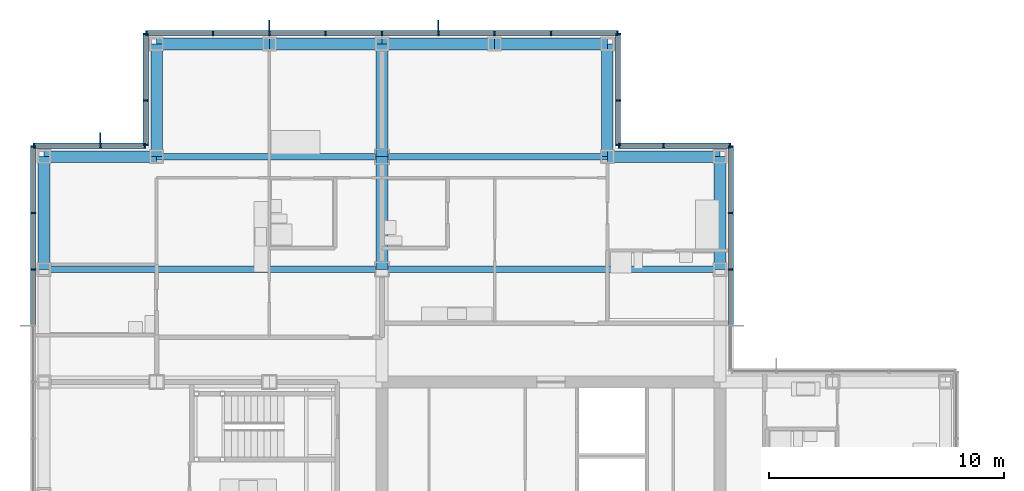
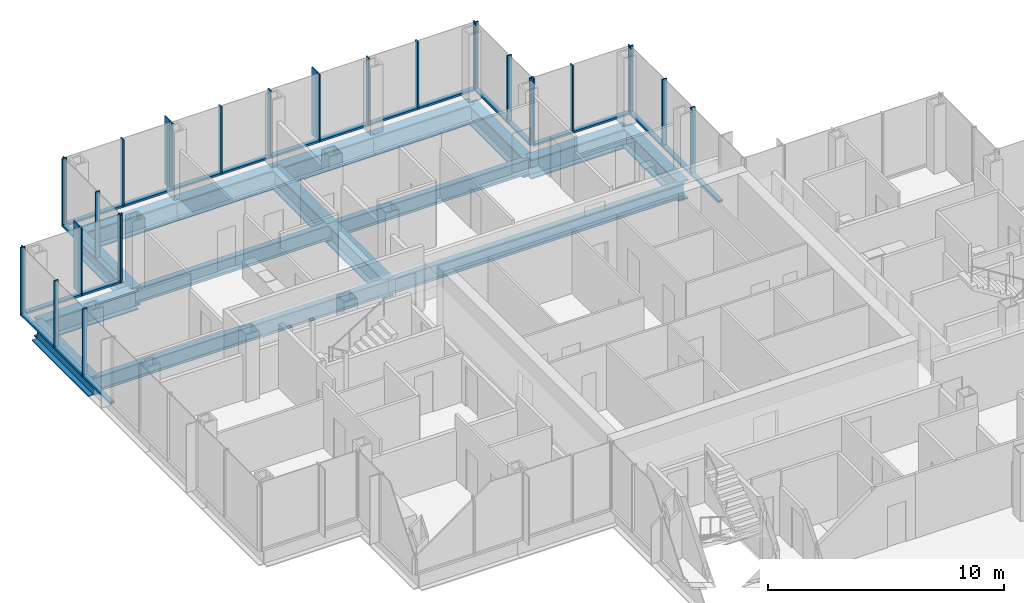
# One storey, part 10 of 19: 52 members, 16 beams, 7 elements without a shape of their own.
"""IFC4 building model written with IfcOpenShell, lengths in metres."""

from ifc_helpers import new_model, si_unit, direction, frame, origin, origin_2d, place, context, subcontext, project, spatial, rectangle, i_section, extrude, material, material_profile, profile_set, type_object, element, aggregate, save


model = new_model("IFC4")

# Units and contexts
model_context = context("Model", 3, precision=1e-05, world=origin(), true_north=direction((0.0, 1.0)))
body_context = subcontext(model_context, "Body", "Model", "MODEL_VIEW")
ifc_project = project(units=[si_unit("LENGTHUNIT", "METRE"), si_unit("AREAUNIT", "SQUARE_METRE"), si_unit("VOLUMEUNIT", "CUBIC_METRE"), si_unit("PLANEANGLEUNIT", "RADIAN"), si_unit("MASSUNIT", "GRAM", prefix="KILO")], contexts=[model_context])

# Site, building, storey
site_placement = place(None, origin())
site = spatial("IfcSite", under=ifc_project, at=site_placement, CompositionType="ELEMENT")
building_placement = place(site_placement, origin())
building = spatial("IfcBuilding", under=site, at=building_placement, Name="Kvirike Care Tower", CompositionType="ELEMENT")
storey_placement = place(building_placement, frame((0.0, 0.0, 129.5)))
storey = spatial("IfcBuildingStorey", under=building, at=storey_placement, Name="L35", CompositionType="ELEMENT", Elevation=129.5)

# Curtain wall, members
ifc_material_1 = material(Name="Anodised aluminium stick system", Category="aluminium")
curtain_wall_type = type_object("IfcCurtainWallType", Name="CW-B STICK CURTAIN WALL", PredefinedType="NOTDEFINED", material=ifc_material_1)
curtain_wall_1_placement = place(storey_placement, origin())
curtain_wall_1 = element("IfcCurtainWall", 1, at=curtain_wall_1_placement, inside=storey, type_object=curtain_wall_type, Name="Curtain wall L35 face 8", PredefinedType="NOTDEFINED")
ifc_material_2 = material(Name="Bronze anodised aluminium fin", Category="aluminium")
ifc_material_profile_1 = material_profile(ifc_material_2, rectangle(XDim=0.050048828125, YDim=0.449951171875, at=origin_2d()), Name="BRONZE FIN 450")
ifc_profile_set_1 = profile_set([ifc_material_profile_1], Name="Bronze anodised aluminium fin")
member_type_1 = type_object("IfcMemberType", Name="BRONZE FIN 450", PredefinedType="USERDEFINED", material=ifc_profile_set_1)
member_1_placement = place(storey_placement, frame((16.800048828125, 58.39501953125, 0.0), z_axis=(0.0, 0.0, 1.0), x_axis=(-1.0, 0.0, 0.0)))
member_1 = element("IfcMember", 2, at=member_1_placement, type_object=member_type_1, Name="Bronze fin L35 face 8.4", ObjectType="FIN", PredefinedType="USERDEFINED", context=body_context, shape_type="SweptSolid", body=[
    extrude(rectangle(XDim=0.050048828125, YDim=0.449951171875, at=origin_2d()), origin(), (0.0, 0.0, 1.0), 3.5),
])
member_2_placement = place(storey_placement, frame((9.60009765625, 58.39501953125, 0.0), z_axis=(0.0, 0.0, 1.0), x_axis=(-1.0, 0.0, 0.0)))
member_2 = element("IfcMember", 3, at=member_2_placement, type_object=member_type_1, Name="Bronze fin L35 face 8.7", ObjectType="FIN", PredefinedType="USERDEFINED", context=body_context, shape_type="SweptSolid", body=[
    extrude(rectangle(XDim=0.050048828125, YDim=0.449951171875, at=origin_2d()), origin(), (0.0, 0.0, 1.0), 3.5),
])

# Curtain wall, member
curtain_wall_2_placement = place(storey_placement, origin())
curtain_wall_2 = element("IfcCurtainWall", 4, at=curtain_wall_2_placement, inside=storey, type_object=curtain_wall_type, Name="Curtain wall L35 face 10", PredefinedType="NOTDEFINED")
member_3_placement = place(storey_placement, frame((2.39990234375, 53.594970703125, 0.0), z_axis=(0.0, 0.0, 1.0), x_axis=(-1.0, 0.0, 0.0)))
member_3 = element("IfcMember", 5, at=member_3_placement, type_object=member_type_1, Name="Bronze fin L35 face 10.2", ObjectType="FIN", PredefinedType="USERDEFINED", context=body_context, shape_type="SweptSolid", body=[
    extrude(rectangle(XDim=0.050048828125, YDim=0.449951171875, at=origin_2d()), origin(), (0.0, 0.0, 1.0), 3.5),
])

# Curtain wall, members
curtain_wall_3_placement = place(storey_placement, origin())
curtain_wall_3 = element("IfcCurtainWall", 6, at=curtain_wall_3_placement, inside=storey, type_object=curtain_wall_type, Name="Curtain wall L35 face 5", PredefinedType="NOTDEFINED")
ifc_material_3 = material(Name="Bronze anodised aluminium mullion", Category="aluminium")
ifc_material_profile_2 = material_profile(ifc_material_3, rectangle(XDim=0.06494140625, YDim=0.219970703125, at=origin_2d()), Name="CW-B MULLION 65x220")
ifc_profile_set_2 = profile_set([ifc_material_profile_2], Name="Bronze anodised aluminium mullion")
member_type_2 = type_object("IfcMemberType", Name="CW-B MULLION 65x220", PredefinedType="MULLION", material=ifc_profile_set_2)
member_4_placement = place(storey_placement, frame((29.260009765625, 48.0, 0.0), z_axis=(0.0, 0.0, 1.0), x_axis=(0.0, 1.0, 0.0)))
member_4 = element("IfcMember", 7, at=member_4_placement, type_object=member_type_2, Name="CW-B mullion L35 face 5.3", PredefinedType="MULLION", context=body_context, shape_type="SweptSolid", body=[
    extrude(rectangle(XDim=0.06494140625, YDim=0.219970703125, at=origin_2d()), origin(), (0.0, 0.0, 1.0), 3.5),
])
member_5_placement = place(storey_placement, frame((29.260009765625, 50.39990234375, 0.0), z_axis=(0.0, 0.0, 1.0), x_axis=(0.0, 1.0, 0.0)))
member_5 = element("IfcMember", 8, at=member_5_placement, type_object=member_type_2, Name="CW-B mullion L35 face 5.4", PredefinedType="MULLION", context=body_context, shape_type="SweptSolid", body=[
    extrude(rectangle(XDim=0.06494140625, YDim=0.219970703125, at=origin_2d()), origin(), (0.0, 0.0, 1.0), 3.5),
])
member_6_placement = place(storey_placement, frame((29.260009765625, 53.2275390625, 0.0), z_axis=(0.0, 0.0, 1.0), x_axis=(0.0, 1.0, 0.0)))
member_6 = element("IfcMember", 9, at=member_6_placement, type_object=member_type_2, Name="CW-B mullion L35 face 5.5", PredefinedType="MULLION", context=body_context, shape_type="SweptSolid", body=[
    extrude(rectangle(XDim=0.06494140625, YDim=0.219970703125, at=origin_2d()), origin(), (0.0, 0.0, 1.0), 3.5),
])

curtain_wall_4_placement = place(storey_placement, origin())
curtain_wall_4 = element("IfcCurtainWall", 10, at=curtain_wall_4_placement, inside=storey, type_object=curtain_wall_type, Name="Curtain wall L35 face 6", PredefinedType="NOTDEFINED")
member_7_placement = place(storey_placement, frame((29.2275390625, 53.260009765625, 0.0), z_axis=(0.0, 0.0, 1.0), x_axis=(-1.0, 0.0, 0.0)))
member_7 = element("IfcMember", 11, at=member_7_placement, type_object=member_type_2, Name="CW-B mullion L35 face 6.1", PredefinedType="MULLION", context=body_context, shape_type="SweptSolid", body=[
    extrude(rectangle(XDim=0.06494140625, YDim=0.219970703125, at=origin_2d()), origin(), (0.0, 0.0, 1.0), 3.5),
])
member_8_placement = place(storey_placement, frame((26.39990234375, 53.260009765625, 0.0), z_axis=(0.0, 0.0, 1.0), x_axis=(-1.0, 0.0, 0.0)))
member_8 = element("IfcMember", 12, at=member_8_placement, type_object=member_type_2, Name="CW-B mullion L35 face 6.2", PredefinedType="MULLION", context=body_context, shape_type="SweptSolid", body=[
    extrude(rectangle(XDim=0.06494140625, YDim=0.219970703125, at=origin_2d()), origin(), (0.0, 0.0, 1.0), 3.5),
])
member_9_placement = place(storey_placement, frame((24.492431640625, 53.260009765625, 0.0), z_axis=(0.0, 0.0, 1.0), x_axis=(-1.0, 0.0, 0.0)))
member_9 = element("IfcMember", 13, at=member_9_placement, type_object=member_type_2, Name="CW-B mullion L35 face 6.3", PredefinedType="MULLION", context=body_context, shape_type="SweptSolid", body=[
    extrude(rectangle(XDim=0.06494140625, YDim=0.219970703125, at=origin_2d()), origin(), (0.0, 0.0, 1.0), 3.5),
])

curtain_wall_5_placement = place(storey_placement, origin())
curtain_wall_5 = element("IfcCurtainWall", 14, at=curtain_wall_5_placement, inside=storey, type_object=curtain_wall_type, Name="Curtain wall L35 face 7", PredefinedType="NOTDEFINED")
member_10_placement = place(storey_placement, frame((24.4599609375, 53.29248046875, 0.0), z_axis=(0.0, 0.0, 1.0), x_axis=(0.0, 1.0, 0.0)))
member_10 = element("IfcMember", 15, at=member_10_placement, type_object=member_type_2, Name="CW-B mullion L35 face 7.1", PredefinedType="MULLION", context=body_context, shape_type="SweptSolid", body=[
    extrude(rectangle(XDim=0.06494140625, YDim=0.219970703125, at=origin_2d()), origin(), (0.0, 0.0, 1.0), 3.5),
])
member_11_placement = place(storey_placement, frame((24.4599609375, 55.199951171875, 0.0), z_axis=(0.0, 0.0, 1.0), x_axis=(0.0, 1.0, 0.0)))
member_11 = element("IfcMember", 16, at=member_11_placement, type_object=member_type_2, Name="CW-B mullion L35 face 7.2", PredefinedType="MULLION", context=body_context, shape_type="SweptSolid", body=[
    extrude(rectangle(XDim=0.06494140625, YDim=0.219970703125, at=origin_2d()), origin(), (0.0, 0.0, 1.0), 3.5),
])
member_12_placement = place(storey_placement, frame((24.4599609375, 58.027587890625, 0.0), z_axis=(0.0, 0.0, 1.0), x_axis=(0.0, 1.0, 0.0)))
member_12 = element("IfcMember", 17, at=member_12_placement, type_object=member_type_2, Name="CW-B mullion L35 face 7.3", PredefinedType="MULLION", context=body_context, shape_type="SweptSolid", body=[
    extrude(rectangle(XDim=0.06494140625, YDim=0.219970703125, at=origin_2d()), origin(), (0.0, 0.0, 1.0), 3.5),
])

# Member
member_13_placement = place(storey_placement, frame((24.427490234375, 58.06005859375, 0.0), z_axis=(0.0, 0.0, 1.0), x_axis=(-1.0, 0.0, 0.0)))
member_13 = element("IfcMember", 18, at=member_13_placement, type_object=member_type_2, Name="CW-B mullion L35 face 8.1", PredefinedType="MULLION", context=body_context, shape_type="SweptSolid", body=[
    extrude(rectangle(XDim=0.06494140625, YDim=0.219970703125, at=origin_2d()), origin(), (0.0, 0.0, 1.0), 3.5),
])

member_14_placement = place(storey_placement, frame((21.60009765625, 58.06005859375, 0.0), z_axis=(0.0, 0.0, 1.0), x_axis=(-1.0, 0.0, 0.0)))
member_14 = element("IfcMember", 19, at=member_14_placement, type_object=member_type_2, Name="CW-B mullion L35 face 8.2", PredefinedType="MULLION", context=body_context, shape_type="SweptSolid", body=[
    extrude(rectangle(XDim=0.06494140625, YDim=0.219970703125, at=origin_2d()), origin(), (0.0, 0.0, 1.0), 3.5),
])

member_15_placement = place(storey_placement, frame((19.199951171875, 58.06005859375, 0.0), z_axis=(0.0, 0.0, 1.0), x_axis=(-1.0, 0.0, 0.0)))
member_15 = element("IfcMember", 20, at=member_15_placement, type_object=member_type_2, Name="CW-B mullion L35 face 8.3", PredefinedType="MULLION", context=body_context, shape_type="SweptSolid", body=[
    extrude(rectangle(XDim=0.06494140625, YDim=0.219970703125, at=origin_2d()), origin(), (0.0, 0.0, 1.0), 3.5),
])

member_16_placement = place(storey_placement, frame((16.800048828125, 58.06005859375, 0.0), z_axis=(0.0, 0.0, 1.0), x_axis=(-1.0, 0.0, 0.0)))
member_16 = element("IfcMember", 21, at=member_16_placement, type_object=member_type_2, Name="CW-B mullion L35 face 8.4", PredefinedType="MULLION", context=body_context, shape_type="SweptSolid", body=[
    extrude(rectangle(XDim=0.06494140625, YDim=0.219970703125, at=origin_2d()), origin(), (0.0, 0.0, 1.0), 3.5),
])

member_17_placement = place(storey_placement, frame((14.39990234375, 58.06005859375, 0.0), z_axis=(0.0, 0.0, 1.0), x_axis=(-1.0, 0.0, 0.0)))
member_17 = element("IfcMember", 22, at=member_17_placement, type_object=member_type_2, Name="CW-B mullion L35 face 8.5", PredefinedType="MULLION", context=body_context, shape_type="SweptSolid", body=[
    extrude(rectangle(XDim=0.06494140625, YDim=0.219970703125, at=origin_2d()), origin(), (0.0, 0.0, 1.0), 3.5),
])

member_18_placement = place(storey_placement, frame((12.0, 58.06005859375, 0.0), z_axis=(0.0, 0.0, 1.0), x_axis=(-1.0, 0.0, 0.0)))
member_18 = element("IfcMember", 23, at=member_18_placement, type_object=member_type_2, Name="CW-B mullion L35 face 8.6", PredefinedType="MULLION", context=body_context, shape_type="SweptSolid", body=[
    extrude(rectangle(XDim=0.06494140625, YDim=0.219970703125, at=origin_2d()), origin(), (0.0, 0.0, 1.0), 3.5),
])

member_19_placement = place(storey_placement, frame((9.60009765625, 58.06005859375, 0.0), z_axis=(0.0, 0.0, 1.0), x_axis=(-1.0, 0.0, 0.0)))
member_19 = element("IfcMember", 24, at=member_19_placement, type_object=member_type_2, Name="CW-B mullion L35 face 8.7", PredefinedType="MULLION", context=body_context, shape_type="SweptSolid", body=[
    extrude(rectangle(XDim=0.06494140625, YDim=0.219970703125, at=origin_2d()), origin(), (0.0, 0.0, 1.0), 3.5),
])

member_20_placement = place(storey_placement, frame((7.199951171875, 58.06005859375, 0.0), z_axis=(0.0, 0.0, 1.0), x_axis=(-1.0, 0.0, 0.0)))
member_20 = element("IfcMember", 25, at=member_20_placement, type_object=member_type_2, Name="CW-B mullion L35 face 8.8", PredefinedType="MULLION", context=body_context, shape_type="SweptSolid", body=[
    extrude(rectangle(XDim=0.06494140625, YDim=0.219970703125, at=origin_2d()), origin(), (0.0, 0.0, 1.0), 3.5),
])

member_21_placement = place(storey_placement, frame((4.37255859375, 58.06005859375, 0.0), z_axis=(0.0, 0.0, 1.0), x_axis=(-1.0, 0.0, 0.0)))
member_21 = element("IfcMember", 26, at=member_21_placement, type_object=member_type_2, Name="CW-B mullion L35 face 8.9", PredefinedType="MULLION", context=body_context, shape_type="SweptSolid", body=[
    extrude(rectangle(XDim=0.06494140625, YDim=0.219970703125, at=origin_2d()), origin(), (0.0, 0.0, 1.0), 3.5),
])

# Curtain wall, members
curtain_wall_6_placement = place(storey_placement, origin())
curtain_wall_6 = element("IfcCurtainWall", 27, at=curtain_wall_6_placement, inside=storey, type_object=curtain_wall_type, Name="Curtain wall L35 face 9", PredefinedType="NOTDEFINED")
member_22_placement = place(storey_placement, frame((4.340087890625, 58.027587890625, 0.0), z_axis=(0.0, 0.0, 1.0), x_axis=(0.0, -1.0, 0.0)))
member_22 = element("IfcMember", 28, at=member_22_placement, type_object=member_type_2, Name="CW-B mullion L35 face 9.1", PredefinedType="MULLION", context=body_context, shape_type="SweptSolid", body=[
    extrude(rectangle(XDim=0.06494140625, YDim=0.219970703125, at=origin_2d()), origin(), (0.0, 0.0, 1.0), 3.5),
])
member_23_placement = place(storey_placement, frame((4.340087890625, 55.199951171875, 0.0), z_axis=(0.0, 0.0, 1.0), x_axis=(0.0, -1.0, 0.0)))
member_23 = element("IfcMember", 29, at=member_23_placement, type_object=member_type_2, Name="CW-B mullion L35 face 9.2", PredefinedType="MULLION", context=body_context, shape_type="SweptSolid", body=[
    extrude(rectangle(XDim=0.06494140625, YDim=0.219970703125, at=origin_2d()), origin(), (0.0, 0.0, 1.0), 3.5),
])
member_24_placement = place(storey_placement, frame((4.340087890625, 53.29248046875, 0.0), z_axis=(0.0, 0.0, 1.0), x_axis=(0.0, -1.0, 0.0)))
member_24 = element("IfcMember", 30, at=member_24_placement, type_object=member_type_2, Name="CW-B mullion L35 face 9.3", PredefinedType="MULLION", context=body_context, shape_type="SweptSolid", body=[
    extrude(rectangle(XDim=0.06494140625, YDim=0.219970703125, at=origin_2d()), origin(), (0.0, 0.0, 1.0), 3.5),
])

# Member
member_25_placement = place(storey_placement, frame((4.3076171875, 53.260009765625, 0.0), z_axis=(0.0, 0.0, 1.0), x_axis=(-1.0, 0.0, 0.0)))
member_25 = element("IfcMember", 31, at=member_25_placement, type_object=member_type_2, Name="CW-B mullion L35 face 10.1", PredefinedType="MULLION", context=body_context, shape_type="SweptSolid", body=[
    extrude(rectangle(XDim=0.06494140625, YDim=0.219970703125, at=origin_2d()), origin(), (0.0, 0.0, 1.0), 3.5),
])

member_26_placement = place(storey_placement, frame((2.39990234375, 53.260009765625, 0.0), z_axis=(0.0, 0.0, 1.0), x_axis=(-1.0, 0.0, 0.0)))
member_26 = element("IfcMember", 32, at=member_26_placement, type_object=member_type_2, Name="CW-B mullion L35 face 10.2", PredefinedType="MULLION", context=body_context, shape_type="SweptSolid", body=[
    extrude(rectangle(XDim=0.06494140625, YDim=0.219970703125, at=origin_2d()), origin(), (0.0, 0.0, 1.0), 3.5),
])

member_27_placement = place(storey_placement, frame((-0.427490234375, 53.260009765625, 0.0), z_axis=(0.0, 0.0, 1.0), x_axis=(-1.0, 0.0, 0.0)))
member_27 = element("IfcMember", 33, at=member_27_placement, type_object=member_type_2, Name="CW-B mullion L35 face 10.3", PredefinedType="MULLION", context=body_context, shape_type="SweptSolid", body=[
    extrude(rectangle(XDim=0.06494140625, YDim=0.219970703125, at=origin_2d()), origin(), (0.0, 0.0, 1.0), 3.5),
])

# Curtain wall, members
curtain_wall_7_placement = place(storey_placement, origin())
curtain_wall_7 = element("IfcCurtainWall", 34, at=curtain_wall_7_placement, inside=storey, type_object=curtain_wall_type, Name="Curtain wall L35 face 11", PredefinedType="NOTDEFINED")
member_28_placement = place(storey_placement, frame((-0.4599609375, 53.2275390625, 0.0), z_axis=(0.0, 0.0, 1.0), x_axis=(0.0, -1.0, 0.0)))
member_28 = element("IfcMember", 35, at=member_28_placement, type_object=member_type_2, Name="CW-B mullion L35 face 11.1", PredefinedType="MULLION", context=body_context, shape_type="SweptSolid", body=[
    extrude(rectangle(XDim=0.06494140625, YDim=0.219970703125, at=origin_2d()), origin(), (0.0, 0.0, 1.0), 3.5),
])
member_29_placement = place(storey_placement, frame((-0.4599609375, 50.39990234375, 0.0), z_axis=(0.0, 0.0, 1.0), x_axis=(0.0, -1.0, 0.0)))
member_29 = element("IfcMember", 36, at=member_29_placement, type_object=member_type_2, Name="CW-B mullion L35 face 11.2", PredefinedType="MULLION", context=body_context, shape_type="SweptSolid", body=[
    extrude(rectangle(XDim=0.06494140625, YDim=0.219970703125, at=origin_2d()), origin(), (0.0, 0.0, 1.0), 3.5),
])
member_30_placement = place(storey_placement, frame((-0.4599609375, 48.0, 0.0), z_axis=(0.0, 0.0, 1.0), x_axis=(0.0, -1.0, 0.0)))
member_30 = element("IfcMember", 37, at=member_30_placement, type_object=member_type_2, Name="CW-B mullion L35 face 11.3", PredefinedType="MULLION", context=body_context, shape_type="SweptSolid", body=[
    extrude(rectangle(XDim=0.06494140625, YDim=0.219970703125, at=origin_2d()), origin(), (0.0, 0.0, 1.0), 3.5),
])

# Member
ifc_material_4 = material(Name="Bronze anodised aluminium transom", Category="aluminium")
ifc_material_profile_3 = material_profile(ifc_material_4, rectangle(XDim=0.219970703125, YDim=0.10009765625, at=origin_2d()), Name="CW-B TRANSOM 220x100")
ifc_profile_set_3 = profile_set([ifc_material_profile_3], Name="Bronze anodised aluminium transom")
member_type_3 = type_object("IfcMemberType", Name="CW-B TRANSOM 220x100", PredefinedType="USERDEFINED", material=ifc_profile_set_3)
member_31_placement = place(storey_placement, frame((29.260009765625, 45.632568359375, 0.050048828125), z_axis=(0.0, 1.0, 0.0), x_axis=(-1.0, 0.0, 0.0)))
member_31 = element("IfcMember", 38, at=member_31_placement, type_object=member_type_3, Name="CW-B sill transom L35 face 5.2", ObjectType="TRANSOM", PredefinedType="USERDEFINED", context=body_context, shape_type="SweptSolid", body=[
    extrude(rectangle(XDim=0.219970703125, YDim=0.10009765625, at=origin_2d()), origin(), (0.0, 0.0, 1.0), 2.3349609375),
])

member_32_placement = place(storey_placement, frame((29.260009765625, 48.032470703125, 0.050048828125), z_axis=(0.0, 1.0, 0.0), x_axis=(-1.0, 0.0, 0.0)))
member_32 = element("IfcMember", 39, at=member_32_placement, type_object=member_type_3, Name="CW-B sill transom L35 face 5.3", ObjectType="TRANSOM", PredefinedType="USERDEFINED", context=body_context, shape_type="SweptSolid", body=[
    extrude(rectangle(XDim=0.219970703125, YDim=0.10009765625, at=origin_2d()), origin(), (0.0, 0.0, 1.0), 2.3349609375),
])

member_33_placement = place(storey_placement, frame((29.260009765625, 50.4326171875, 0.050048828125), z_axis=(0.0, 1.0, 0.0), x_axis=(-1.0, 0.0, 0.0)))
member_33 = element("IfcMember", 40, at=member_33_placement, type_object=member_type_3, Name="CW-B sill transom L35 face 5.4", ObjectType="TRANSOM", PredefinedType="USERDEFINED", context=body_context, shape_type="SweptSolid", body=[
    extrude(rectangle(XDim=0.219970703125, YDim=0.10009765625, at=origin_2d()), origin(), (0.0, 0.0, 1.0), 2.762451171875),
])

aggregate(curtain_wall_3, [member_4, member_5, member_6, member_31, member_32, member_33])

member_34_placement = place(storey_placement, frame((29.195068359375, 53.260009765625, 0.050048828125), z_axis=(-1.0, 0.0, 0.0), x_axis=(0.0, -1.0, 0.0)))
member_34 = element("IfcMember", 41, at=member_34_placement, type_object=member_type_3, Name="CW-B sill transom L35 face 6.1", ObjectType="TRANSOM", PredefinedType="USERDEFINED", context=body_context, shape_type="SweptSolid", body=[
    extrude(rectangle(XDim=0.219970703125, YDim=0.10009765625, at=origin_2d()), origin(), (0.0, 0.0, 1.0), 2.762451171875),
])

member_35_placement = place(storey_placement, frame((26.367431640625, 53.260009765625, 0.050048828125), z_axis=(-1.0, 0.0, 0.0), x_axis=(0.0, -1.0, 0.0)))
member_35 = element("IfcMember", 42, at=member_35_placement, type_object=member_type_3, Name="CW-B sill transom L35 face 6.2", ObjectType="TRANSOM", PredefinedType="USERDEFINED", context=body_context, shape_type="SweptSolid", body=[
    extrude(rectangle(XDim=0.219970703125, YDim=0.10009765625, at=origin_2d()), origin(), (0.0, 0.0, 1.0), 1.842529296875),
])

aggregate(curtain_wall_4, [member_7, member_8, member_9, member_34, member_35])

member_36_placement = place(storey_placement, frame((24.4599609375, 53.324951171875, 0.050048828125), z_axis=(0.0, 1.0, 0.0), x_axis=(-1.0, 0.0, 0.0)))
member_36 = element("IfcMember", 43, at=member_36_placement, type_object=member_type_3, Name="CW-B sill transom L35 face 7.1", ObjectType="TRANSOM", PredefinedType="USERDEFINED", context=body_context, shape_type="SweptSolid", body=[
    extrude(rectangle(XDim=0.219970703125, YDim=0.10009765625, at=origin_2d()), origin(), (0.0, 0.0, 1.0), 1.842529296875),
])

member_37_placement = place(storey_placement, frame((24.4599609375, 55.232421875, 0.050048828125), z_axis=(0.0, 1.0, 0.0), x_axis=(-1.0, 0.0, 0.0)))
member_37 = element("IfcMember", 44, at=member_37_placement, type_object=member_type_3, Name="CW-B sill transom L35 face 7.2", ObjectType="TRANSOM", PredefinedType="USERDEFINED", context=body_context, shape_type="SweptSolid", body=[
    extrude(rectangle(XDim=0.219970703125, YDim=0.10009765625, at=origin_2d()), origin(), (0.0, 0.0, 1.0), 2.7626953125),
])

aggregate(curtain_wall_5, [member_10, member_11, member_12, member_36, member_37])

member_38_placement = place(storey_placement, frame((24.39501953125, 58.06005859375, 0.050048828125), z_axis=(-1.0, 0.0, 0.0), x_axis=(0.0, -1.0, 0.0)))
member_38 = element("IfcMember", 45, at=member_38_placement, type_object=member_type_3, Name="CW-B sill transom L35 face 8.1", ObjectType="TRANSOM", PredefinedType="USERDEFINED", context=body_context, shape_type="SweptSolid", body=[
    extrude(rectangle(XDim=0.219970703125, YDim=0.10009765625, at=origin_2d()), origin(), (0.0, 0.0, 1.0), 2.762451171875),
])

member_39_placement = place(storey_placement, frame((21.5673828125, 58.06005859375, 0.050048828125), z_axis=(-1.0, 0.0, 0.0), x_axis=(0.0, -1.0, 0.0)))
member_39 = element("IfcMember", 46, at=member_39_placement, type_object=member_type_3, Name="CW-B sill transom L35 face 8.2", ObjectType="TRANSOM", PredefinedType="USERDEFINED", context=body_context, shape_type="SweptSolid", body=[
    extrude(rectangle(XDim=0.219970703125, YDim=0.10009765625, at=origin_2d()), origin(), (0.0, 0.0, 1.0), 2.3349609375),
])

member_40_placement = place(storey_placement, frame((19.16748046875, 58.06005859375, 0.050048828125), z_axis=(-1.0, 0.0, 0.0), x_axis=(0.0, -1.0, 0.0)))
member_40 = element("IfcMember", 47, at=member_40_placement, type_object=member_type_3, Name="CW-B sill transom L35 face 8.3", ObjectType="TRANSOM", PredefinedType="USERDEFINED", context=body_context, shape_type="SweptSolid", body=[
    extrude(rectangle(XDim=0.219970703125, YDim=0.10009765625, at=origin_2d()), origin(), (0.0, 0.0, 1.0), 2.3349609375),
])

member_41_placement = place(storey_placement, frame((16.767578125, 58.06005859375, 0.050048828125), z_axis=(-1.0, 0.0, 0.0), x_axis=(0.0, -1.0, 0.0)))
member_41 = element("IfcMember", 48, at=member_41_placement, type_object=member_type_3, Name="CW-B sill transom L35 face 8.4", ObjectType="TRANSOM", PredefinedType="USERDEFINED", context=body_context, shape_type="SweptSolid", body=[
    extrude(rectangle(XDim=0.219970703125, YDim=0.10009765625, at=origin_2d()), origin(), (0.0, 0.0, 1.0), 2.3349609375),
])

member_42_placement = place(storey_placement, frame((14.367431640625, 58.06005859375, 0.050048828125), z_axis=(-1.0, 0.0, 0.0), x_axis=(0.0, -1.0, 0.0)))
member_42 = element("IfcMember", 49, at=member_42_placement, type_object=member_type_3, Name="CW-B sill transom L35 face 8.5", ObjectType="TRANSOM", PredefinedType="USERDEFINED", context=body_context, shape_type="SweptSolid", body=[
    extrude(rectangle(XDim=0.219970703125, YDim=0.10009765625, at=origin_2d()), origin(), (0.0, 0.0, 1.0), 2.3349609375),
])

member_43_placement = place(storey_placement, frame((11.967529296875, 58.06005859375, 0.050048828125), z_axis=(-1.0, 0.0, 0.0), x_axis=(0.0, -1.0, 0.0)))
member_43 = element("IfcMember", 50, at=member_43_placement, type_object=member_type_3, Name="CW-B sill transom L35 face 8.6", ObjectType="TRANSOM", PredefinedType="USERDEFINED", context=body_context, shape_type="SweptSolid", body=[
    extrude(rectangle(XDim=0.219970703125, YDim=0.10009765625, at=origin_2d()), origin(), (0.0, 0.0, 1.0), 2.3349609375),
])

member_44_placement = place(storey_placement, frame((9.5673828125, 58.06005859375, 0.050048828125), z_axis=(-1.0, 0.0, 0.0), x_axis=(0.0, -1.0, 0.0)))
member_44 = element("IfcMember", 51, at=member_44_placement, type_object=member_type_3, Name="CW-B sill transom L35 face 8.7", ObjectType="TRANSOM", PredefinedType="USERDEFINED", context=body_context, shape_type="SweptSolid", body=[
    extrude(rectangle(XDim=0.219970703125, YDim=0.10009765625, at=origin_2d()), origin(), (0.0, 0.0, 1.0), 2.3349609375),
])

member_45_placement = place(storey_placement, frame((7.16748046875, 58.06005859375, 0.050048828125), z_axis=(-1.0, 0.0, 0.0), x_axis=(0.0, -1.0, 0.0)))
member_45 = element("IfcMember", 52, at=member_45_placement, type_object=member_type_3, Name="CW-B sill transom L35 face 8.8", ObjectType="TRANSOM", PredefinedType="USERDEFINED", context=body_context, shape_type="SweptSolid", body=[
    extrude(rectangle(XDim=0.219970703125, YDim=0.10009765625, at=origin_2d()), origin(), (0.0, 0.0, 1.0), 2.762451171875),
])

aggregate(curtain_wall_1, [member_13, member_14, member_15, member_16, member_1, member_17, member_18, member_19, member_2, member_20, member_21, member_38, member_39, member_40, member_41, member_42, member_43, member_44, member_45])

member_46_placement = place(storey_placement, frame((4.340087890625, 57.9951171875, 0.050048828125), z_axis=(0.0, -1.0, 0.0), x_axis=(1.0, 0.0, 0.0)))
member_46 = element("IfcMember", 53, at=member_46_placement, type_object=member_type_3, Name="CW-B sill transom L35 face 9.1", ObjectType="TRANSOM", PredefinedType="USERDEFINED", context=body_context, shape_type="SweptSolid", body=[
    extrude(rectangle(XDim=0.219970703125, YDim=0.10009765625, at=origin_2d()), origin(), (0.0, 0.0, 1.0), 2.7626953125),
])

member_47_placement = place(storey_placement, frame((4.340087890625, 55.16748046875, 0.050048828125), z_axis=(0.0, -1.0, 0.0), x_axis=(1.0, 0.0, 0.0)))
member_47 = element("IfcMember", 54, at=member_47_placement, type_object=member_type_3, Name="CW-B sill transom L35 face 9.2", ObjectType="TRANSOM", PredefinedType="USERDEFINED", context=body_context, shape_type="SweptSolid", body=[
    extrude(rectangle(XDim=0.219970703125, YDim=0.10009765625, at=origin_2d()), origin(), (0.0, 0.0, 1.0), 1.842529296875),
])

aggregate(curtain_wall_6, [member_22, member_23, member_24, member_46, member_47])

member_48_placement = place(storey_placement, frame((4.27490234375, 53.260009765625, 0.050048828125), z_axis=(-1.0, 0.0, 0.0), x_axis=(0.0, -1.0, 0.0)))
member_48 = element("IfcMember", 55, at=member_48_placement, type_object=member_type_3, Name="CW-B sill transom L35 face 10.1", ObjectType="TRANSOM", PredefinedType="USERDEFINED", context=body_context, shape_type="SweptSolid", body=[
    extrude(rectangle(XDim=0.219970703125, YDim=0.10009765625, at=origin_2d()), origin(), (0.0, 0.0, 1.0), 1.84228515625),
])

member_49_placement = place(storey_placement, frame((2.367431640625, 53.260009765625, 0.050048828125), z_axis=(-1.0, 0.0, 0.0), x_axis=(0.0, -1.0, 0.0)))
member_49 = element("IfcMember", 56, at=member_49_placement, type_object=member_type_3, Name="CW-B sill transom L35 face 10.2", ObjectType="TRANSOM", PredefinedType="USERDEFINED", context=body_context, shape_type="SweptSolid", body=[
    extrude(rectangle(XDim=0.219970703125, YDim=0.10009765625, at=origin_2d()), origin(), (0.0, 0.0, 1.0), 2.762451171875),
])

aggregate(curtain_wall_2, [member_25, member_26, member_3, member_27, member_48, member_49])

member_50_placement = place(storey_placement, frame((-0.4599609375, 53.195068359375, 0.050048828125), z_axis=(0.0, -1.0, 0.0), x_axis=(1.0, 0.0, 0.0)))
member_50 = element("IfcMember", 57, at=member_50_placement, type_object=member_type_3, Name="CW-B sill transom L35 face 11.1", ObjectType="TRANSOM", PredefinedType="USERDEFINED", context=body_context, shape_type="SweptSolid", body=[
    extrude(rectangle(XDim=0.219970703125, YDim=0.10009765625, at=origin_2d()), origin(), (0.0, 0.0, 1.0), 2.762451171875),
])

member_51_placement = place(storey_placement, frame((-0.4599609375, 50.367431640625, 0.050048828125), z_axis=(0.0, -1.0, 0.0), x_axis=(1.0, 0.0, 0.0)))
member_51 = element("IfcMember", 58, at=member_51_placement, type_object=member_type_3, Name="CW-B sill transom L35 face 11.2", ObjectType="TRANSOM", PredefinedType="USERDEFINED", context=body_context, shape_type="SweptSolid", body=[
    extrude(rectangle(XDim=0.219970703125, YDim=0.10009765625, at=origin_2d()), origin(), (0.0, 0.0, 1.0), 2.3349609375),
])

member_52_placement = place(storey_placement, frame((-0.4599609375, 47.967529296875, 0.050048828125), z_axis=(0.0, -1.0, 0.0), x_axis=(1.0, 0.0, 0.0)))
member_52 = element("IfcMember", 59, at=member_52_placement, type_object=member_type_3, Name="CW-B sill transom L35 face 11.3", ObjectType="TRANSOM", PredefinedType="USERDEFINED", context=body_context, shape_type="SweptSolid", body=[
    extrude(rectangle(XDim=0.219970703125, YDim=0.10009765625, at=origin_2d()), origin(), (0.0, 0.0, 1.0), 2.3349609375),
])

aggregate(curtain_wall_7, [member_28, member_29, member_30, member_50, member_51, member_52])

# Beams
ifc_material_5 = material(Name="Steel S355", Category="steel")
ifc_material_profile_4 = material_profile(ifc_material_5, i_section(OverallWidth=0.26806640625, OverallDepth=0.77001953125, WebThickness=0.015625, FlangeThickness=0.025390625, FilletRadius=0.01708984375, at=origin_2d()), Name="IPE 750x196")
ifc_profile_set_4 = profile_set([ifc_material_profile_4], Name="Steel S355")
beam_type_1 = type_object("IfcBeamType", Name="FLOOR BEAM IPE 750x196", PredefinedType="BEAM", material=ifc_profile_set_4)
beam_1_placement = place(storey_placement, frame((0.0, 48.0, -0.554931640625), z_axis=(1.0, 0.0, 0.0), x_axis=(0.0, 1.0, 0.0)))
element("IfcBeam", 60, at=beam_1_placement, inside=storey, type_object=beam_type_1, Name="Floor Beam L3-L6 L35", PredefinedType="BEAM", context=body_context, shape_type="SweptSolid", body=[
    extrude(i_section(OverallWidth=0.26806640625, OverallDepth=0.77001953125, WebThickness=0.015625, FlangeThickness=0.025390625, FilletRadius=0.01708984375, at=origin_2d()), origin(), (0.0, 0.0, 1.0), 14.39990234375),
])
beam_2_placement = place(storey_placement, frame((14.39990234375, 48.0, -0.554931640625), z_axis=(1.0, 0.0, 0.0), x_axis=(0.0, 1.0, 0.0)))
element("IfcBeam", 61, at=beam_2_placement, inside=storey, type_object=beam_type_1, Name="Floor Beam L6-L9 L35", PredefinedType="BEAM", context=body_context, shape_type="SweptSolid", body=[
    extrude(i_section(OverallWidth=0.26806640625, OverallDepth=0.77001953125, WebThickness=0.015625, FlangeThickness=0.025390625, FilletRadius=0.01708984375, at=origin_2d()), origin(), (0.0, 0.0, 1.0), 14.400146484375),
])
beam_3_placement = place(storey_placement, frame((4.800048828125, 52.800048828125, -0.554931640625), z_axis=(1.0, 0.0, 0.0), x_axis=(0.0, 1.0, 0.0)))
element("IfcBeam", 62, at=beam_3_placement, inside=storey, type_object=beam_type_1, Name="Floor Beam M4-M6 L35", PredefinedType="BEAM", context=body_context, shape_type="SweptSolid", body=[
    extrude(i_section(OverallWidth=0.26806640625, OverallDepth=0.77001953125, WebThickness=0.015625, FlangeThickness=0.025390625, FilletRadius=0.01708984375, at=origin_2d()), origin(), (0.0, 0.0, 1.0), 9.599853515625),
])
beam_4_placement = place(storey_placement, frame((14.39990234375, 52.800048828125, -0.554931640625), z_axis=(1.0, 0.0, 0.0), x_axis=(0.0, 1.0, 0.0)))
element("IfcBeam", 63, at=beam_4_placement, inside=storey, type_object=beam_type_1, Name="Floor Beam M6-M8 L35", PredefinedType="BEAM", context=body_context, shape_type="SweptSolid", body=[
    extrude(i_section(OverallWidth=0.26806640625, OverallDepth=0.77001953125, WebThickness=0.015625, FlangeThickness=0.025390625, FilletRadius=0.01708984375, at=origin_2d()), origin(), (0.0, 0.0, 1.0), 9.60009765625),
])
ifc_material_6 = material(Name="Steel S355", Category="steel")
ifc_material_profile_5 = material_profile(ifc_material_6, i_section(OverallWidth=0.5, OverallDepth=1.0, WebThickness=0.030029296875, FlangeThickness=0.06005859375, at=origin_2d()), Name="PG 1000x500x30x60")
ifc_profile_set_5 = profile_set([ifc_material_profile_5], Name="Steel S355")
beam_type_2 = type_object("IfcBeamType", Name="FRAME BEAM PG 1000x500x30x60", PredefinedType="BEAM", material=ifc_profile_set_5)
for number, where, z_axis, x_axis, name in (
    (64, (14.39990234375, 48.0, -0.669921875), (0.0, 1.0, 0.0), (-1.0, 0.0, 0.0), "Frame Beam L6-M6 L35"),
    (65, (14.39990234375, 52.800048828125, -0.669921875), (0.0, 1.0, 0.0), (-1.0, 0.0, 0.0), "Frame Beam M6-N6 L35"),
):
    element("IfcBeam", number, at=place(storey_placement, frame(where, z_axis=z_axis, x_axis=x_axis)), inside=storey, type_object=beam_type_2, Name=name, PredefinedType="BEAM", context=body_context, shape_type="SweptSolid", body=[
        extrude(i_section(OverallWidth=0.5, OverallDepth=1.0, WebThickness=0.030029296875, FlangeThickness=0.06005859375, at=origin_2d()), origin(), (0.0, 0.0, 1.0), 4.800048828125),
    ])
ifc_material_7 = material(Name="Steel S355", Category="steel")
ifc_material_profile_6 = material_profile(ifc_material_7, i_section(OverallWidth=0.5, OverallDepth=1.0, WebThickness=0.030029296875, FlangeThickness=0.06005859375, at=origin_2d()), Name="PG 1000x500x30x60")
ifc_profile_set_6 = profile_set([ifc_material_profile_6], Name="Steel S355")
beam_type_3 = type_object("IfcBeamType", Name="SPANDREL PG 1000x500x30x60", PredefinedType="SPANDREL", material=ifc_profile_set_6)
for number, where, z_axis, x_axis, name in (
    (66, (0.0, 52.800048828125, -0.669921875), (1.0, 0.0, 0.0), (0.0, 1.0, 0.0), "Spandrel M3-M4 L35"),
    (67, (24.0, 52.800048828125, -0.669921875), (1.0, 0.0, 0.0), (0.0, 1.0, 0.0), "Spandrel M8-M9 L35"),
    (68, (4.800048828125, 57.60009765625, -0.669921875), (1.0, 0.0, 0.0), (0.0, 1.0, 0.0), "Spandrel N4-N5 L35"),
):
    element("IfcBeam", number, at=place(storey_placement, frame(where, z_axis=z_axis, x_axis=x_axis)), inside=storey, type_object=beam_type_3, Name=name, PredefinedType="SPANDREL", context=body_context, shape_type="SweptSolid", body=[
        extrude(i_section(OverallWidth=0.5, OverallDepth=1.0, WebThickness=0.030029296875, FlangeThickness=0.06005859375, at=origin_2d()), origin(), (0.0, 0.0, 1.0), 4.800048828125),
    ])
beam_5_placement = place(storey_placement, frame((9.60009765625, 57.60009765625, -0.669921875), z_axis=(1.0, 0.0, 0.0), x_axis=(0.0, 1.0, 0.0)))
element("IfcBeam", 69, at=beam_5_placement, inside=storey, type_object=beam_type_3, Name="Spandrel N5-N6 L35", PredefinedType="SPANDREL", context=body_context, shape_type="SweptSolid", body=[
    extrude(i_section(OverallWidth=0.5, OverallDepth=1.0, WebThickness=0.030029296875, FlangeThickness=0.06005859375, at=origin_2d()), origin(), (0.0, 0.0, 1.0), 4.7998046875),
])
for number, where, z_axis, x_axis, name in (
    (70, (14.39990234375, 57.60009765625, -0.669921875), (1.0, 0.0, 0.0), (0.0, 1.0, 0.0), "Spandrel N6-N7 L35"),
    (71, (19.199951171875, 57.60009765625, -0.669921875), (1.0, 0.0, 0.0), (0.0, 1.0, 0.0), "Spandrel N7-N8 L35"),
    (72, (0.0, 48.0, -0.669921875), (0.0, 1.0, 0.0), (-1.0, 0.0, 0.0), "Spandrel L3-M3 L35"),
    (73, (4.800048828125, 52.800048828125, -0.669921875), (0.0, 1.0, 0.0), (-1.0, 0.0, 0.0), "Spandrel M4-N4 L35"),
    (74, (24.0, 52.800048828125, -0.669921875), (0.0, 1.0, 0.0), (-1.0, 0.0, 0.0), "Spandrel M8-N8 L35"),
    (75, (28.800048828125, 48.0, -0.669921875), (0.0, 1.0, 0.0), (-1.0, 0.0, 0.0), "Spandrel L9-M9 L35"),
):
    element("IfcBeam", number, at=place(storey_placement, frame(where, z_axis=z_axis, x_axis=x_axis)), inside=storey, type_object=beam_type_3, Name=name, PredefinedType="SPANDREL", context=body_context, shape_type="SweptSolid", body=[
        extrude(i_section(OverallWidth=0.5, OverallDepth=1.0, WebThickness=0.030029296875, FlangeThickness=0.06005859375, at=origin_2d()), origin(), (0.0, 0.0, 1.0), 4.800048828125),
    ])

save(model, "model.ifc")
